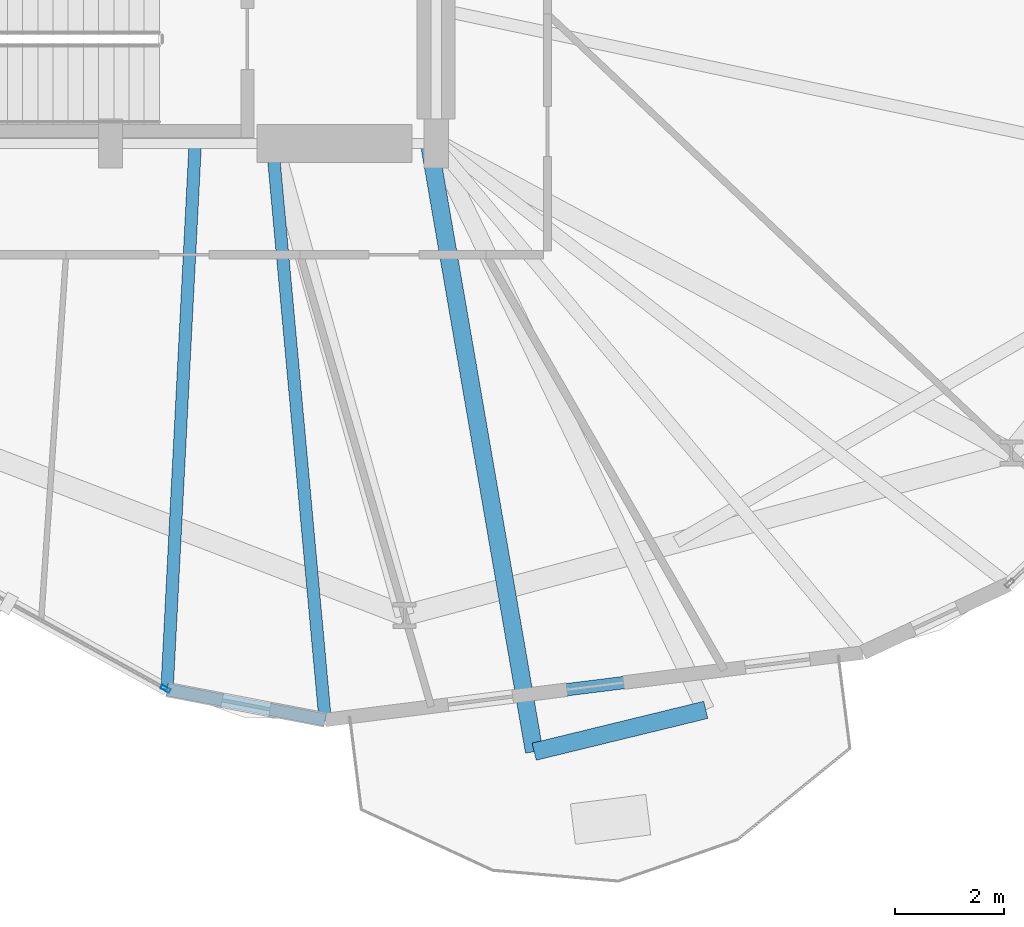
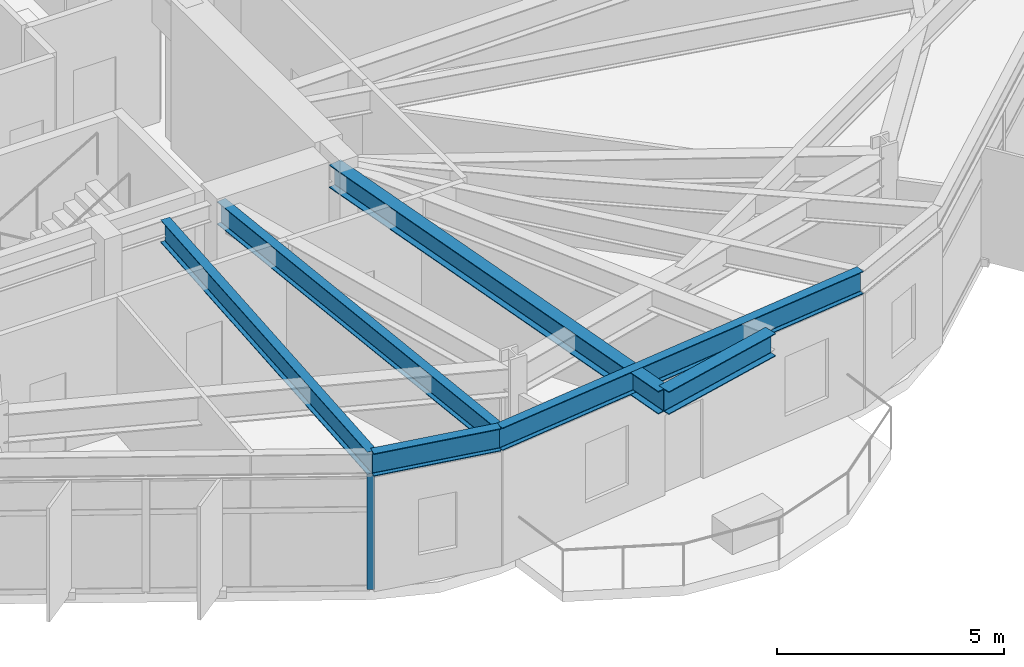
# One storey, part 4 of 22: 6 beams, 1 member, 1 element without a shape of its own.
"""IFC4 building model written with IfcOpenShell, lengths in metres."""

from ifc_helpers import new_model, si_unit, direction, frame, origin, origin_2d, place, context, subcontext, project, spatial, hollow_rectangle, i_section, extrude, material, layer, layer_set, material_profile, profile_set, type_object, element, aggregate, save


model = new_model("IFC4")

# Units and contexts
model_context = context("Model", 3, precision=1e-05, world=origin(), true_north=direction((0.0, 1.0)))
body_context = subcontext(model_context, "Body", "Model", "MODEL_VIEW")
ifc_project = project(units=[si_unit("LENGTHUNIT", "METRE"), si_unit("AREAUNIT", "SQUARE_METRE"), si_unit("VOLUMEUNIT", "CUBIC_METRE"), si_unit("PLANEANGLEUNIT", "RADIAN"), si_unit("MASSUNIT", "GRAM", prefix="KILO")], contexts=[model_context])

# Site, building, storey
site_placement = place(None, origin())
site = spatial("IfcSite", under=ifc_project, at=site_placement, CompositionType="ELEMENT")
building_placement = place(site_placement, origin())
building = spatial("IfcBuilding", under=site, at=building_placement, Name="Soratama Intermodal Tower", CompositionType="ELEMENT")
storey_placement = place(building_placement, frame((0.0, 0.0, 54.60009765625)))
storey = spatial("IfcBuildingStorey", under=building, at=storey_placement, Name="L12", CompositionType="ELEMENT", Elevation=54.60009765625)

# Beams
ifc_material_1 = material(Name="Structural steel ASTM A992 Grade 50", Category="steel")
ifc_material_profile_1 = material_profile(ifc_material_1, i_section(OverallWidth=0.324951171875, OverallDepth=0.615966796875, WebThickness=0.013916015625, FlangeThickness=0.021484375, FilletRadius=0.013916015625, at=origin_2d()), Name="W24X117")
ifc_profile_set_1 = profile_set([ifc_material_profile_1], Name="Structural steel ASTM A992 Grade 50")
beam_type_1 = type_object("IfcBeamType", Name="BM-CANT-W24X117", PredefinedType="BEAM", material=ifc_profile_set_1)
beam_1_placement = place(storey_placement, frame((46.405029296875, 3.7958984375, 3.391845703125), z_axis=(0.97158603279, 0.236686672389, 0.0), x_axis=(-0.236686672389, 0.97158603279, 0.0)))
element("IfcBeam", 1, at=beam_1_placement, inside=storey, type_object=beam_type_1, Name="BM-L12-CBHDR-3", PredefinedType="BEAM", context=body_context, shape_type="SweptSolid", body=[
    extrude(i_section(OverallWidth=0.324951171875, OverallDepth=0.615966796875, WebThickness=0.013916015625, FlangeThickness=0.021484375, FilletRadius=0.013916015625, at=origin_2d()), origin(), (0.0, 0.0, 1.0), 3.25341796875),
])
beam_2_placement = place(storey_placement, frame((44.47802734375, 14.9609375, 3.391845703125), z_axis=(0.17007792899, -0.985430615554, 0.0), x_axis=(0.985430615554, 0.17007792899, 0.0)))
element("IfcBeam", 2, at=beam_2_placement, inside=storey, type_object=beam_type_1, Name="BM-L12-CANT-3-1", PredefinedType="BEAM", context=body_context, shape_type="SweptSolid", body=[
    extrude(i_section(OverallWidth=0.324951171875, OverallDepth=0.615966796875, WebThickness=0.013916015625, FlangeThickness=0.021484375, FilletRadius=0.013916015625, at=origin_2d()), origin(), (0.0, 0.0, 1.0), 11.330078125),
])
ifc_material_2 = material(Name="Structural steel ASTM A992 Grade 50", Category="steel")
ifc_material_profile_2 = material_profile(ifc_material_2, i_section(OverallWidth=0.22900390625, OverallDepth=0.612060546875, WebThickness=0.011962890625, FlangeThickness=0.01953125, FilletRadius=0.012939453125, at=origin_2d()), Name="W24X84")
ifc_profile_set_2 = profile_set([ifc_material_profile_2], Name="Structural steel ASTM A992 Grade 50")
beam_type_2 = type_object("IfcBeamType", Name="BM-SPN-W24X84", PredefinedType="SPANDREL", material=ifc_profile_set_2)
beam_3_placement = place(storey_placement, frame((39.64111328125, 4.93896484375, 3.393798828125), z_axis=(0.982073901843, -0.188496289935, 0.0), x_axis=(0.188496289935, 0.982073901843, 0.0)))
element("IfcBeam", 3, at=beam_3_placement, inside=storey, type_object=beam_type_2, Name="BS-L12-CRN07", PredefinedType="SPANDREL", context=body_context, shape_type="SweptSolid", body=[
    extrude(i_section(OverallWidth=0.22900390625, OverallDepth=0.612060546875, WebThickness=0.011962890625, FlangeThickness=0.01953125, FilletRadius=0.012939453125, at=origin_2d()), origin(), (0.0, 0.0, 1.0), 2.966064453125),
])
beam_4_placement = place(storey_placement, frame((42.553955078125, 4.3798828125, 3.393798828125), z_axis=(0.992247360465, 0.12427862105, 0.0), x_axis=(-0.12427862105, 0.992247360465, 0.0)))
element("IfcBeam", 4, at=beam_4_placement, inside=storey, type_object=beam_type_2, Name="BS-L12-F08", PredefinedType="SPANDREL", context=body_context, shape_type="SweptSolid", body=[
    extrude(i_section(OverallWidth=0.22900390625, OverallDepth=0.612060546875, WebThickness=0.011962890625, FlangeThickness=0.01953125, FilletRadius=0.012939453125, at=origin_2d()), origin(), (0.0, 0.0, 1.0), 9.9794921875),
])
ifc_material_3 = material(Name="Structural steel ASTM A992 Grade 50", Category="steel")
ifc_material_profile_3 = material_profile(ifc_material_3, i_section(OverallWidth=0.22900390625, OverallDepth=0.612060546875, WebThickness=0.011962890625, FlangeThickness=0.01953125, FilletRadius=0.012939453125, at=origin_2d()), Name="W24X84")
ifc_profile_set_3 = profile_set([ifc_material_profile_3], Name="Structural steel ASTM A992 Grade 50")
beam_type_3 = type_object("IfcBeamType", Name="BM-TIE-W24X84", PredefinedType="BEAM", material=ifc_profile_set_3)
beam_5_placement = place(storey_placement, frame((40.158935546875, 14.9599609375, 3.393798828125), z_axis=(-0.051604880821, -0.998667580467, 0.0), x_axis=(0.998667580467, -0.051604880821, 0.0)))
element("IfcBeam", 5, at=beam_5_placement, inside=storey, type_object=beam_type_3, Name="BM-L12-TIE1-07", PredefinedType="BEAM", context=body_context, shape_type="SweptSolid", body=[
    extrude(i_section(OverallWidth=0.22900390625, OverallDepth=0.612060546875, WebThickness=0.011962890625, FlangeThickness=0.01953125, FilletRadius=0.012939453125, at=origin_2d()), origin(), (0.0, 0.0, 1.0), 10.034423828125),
])
beam_6_placement = place(storey_placement, frame((41.5849609375, 14.9599609375, 3.393798828125), z_axis=(0.09120495143, -0.995832142901, 0.0), x_axis=(0.995832142901, 0.09120495143, 0.0)))
element("IfcBeam", 6, at=beam_6_placement, inside=storey, type_object=beam_type_3, Name="BM-L12-TIE0-08", PredefinedType="BEAM", context=body_context, shape_type="SweptSolid", body=[
    extrude(i_section(OverallWidth=0.22900390625, OverallDepth=0.612060546875, WebThickness=0.011962890625, FlangeThickness=0.01953125, FilletRadius=0.012939453125, at=origin_2d()), origin(), (0.0, 0.0, 1.0), 10.624267578125),
])

# Curtain wall, member
ifc_material_4 = material(Name="Double-glazed aluminium curtain wall", Category="aluminium")
ifc_layer = layer(ifc_material_4, 0.159912109375)
ifc_layer_set = layer_set([ifc_layer], Name="Double-glazed aluminium curtain wall")
curtain_wall_type = type_object("IfcCurtainWallType", Name="CW-SYS-2", PredefinedType="NOTDEFINED", material=ifc_layer_set)
curtain_wall_placement = place(storey_placement, origin())
curtain_wall = element("IfcCurtainWall", 7, at=curtain_wall_placement, inside=storey, type_object=curtain_wall_type, Name="L12 Faceted Curtain Wall F07", PredefinedType="NOTDEFINED")
ifc_material_5 = material(Name="Anodised aluminium AA 6063-T6", Category="aluminium")
ifc_material_profile_4 = material_profile(ifc_material_5, hollow_rectangle(XDim=0.074951171875, YDim=0.179931640625, WallThickness=0.006103515625, InnerFilletRadius=0.006103515625, OuterFilletRadius=0.011962890625, at=origin_2d()), Name="CWM180X75X6")
ifc_profile_set_4 = profile_set([ifc_material_profile_4], Name="Anodised aluminium AA 6063-T6")
member_type = type_object("IfcMemberType", Name="MT-CWM-2", PredefinedType="MULLION", material=ifc_profile_set_4)
member_placement = place(storey_placement, frame((39.61474609375, 4.953369140625, 0.0), z_axis=(0.0, 0.0, 1.0), x_axis=(0.482677542899, 0.875798144313, 0.0)))
member = element("IfcMember", 8, at=member_placement, type_object=member_type, Name="CW-2 mullion 3", PredefinedType="MULLION", context=body_context, shape_type="SweptSolid", body=[
    extrude(hollow_rectangle(XDim=0.074951171875, YDim=0.179931640625, WallThickness=0.006103515625, InnerFilletRadius=0.006103515625, OuterFilletRadius=0.011962890625, at=origin_2d()), origin(), (0.0, 0.0, 1.0), 3.078857421875),
])
aggregate(curtain_wall, [member])

save(model, "model.ifc")
